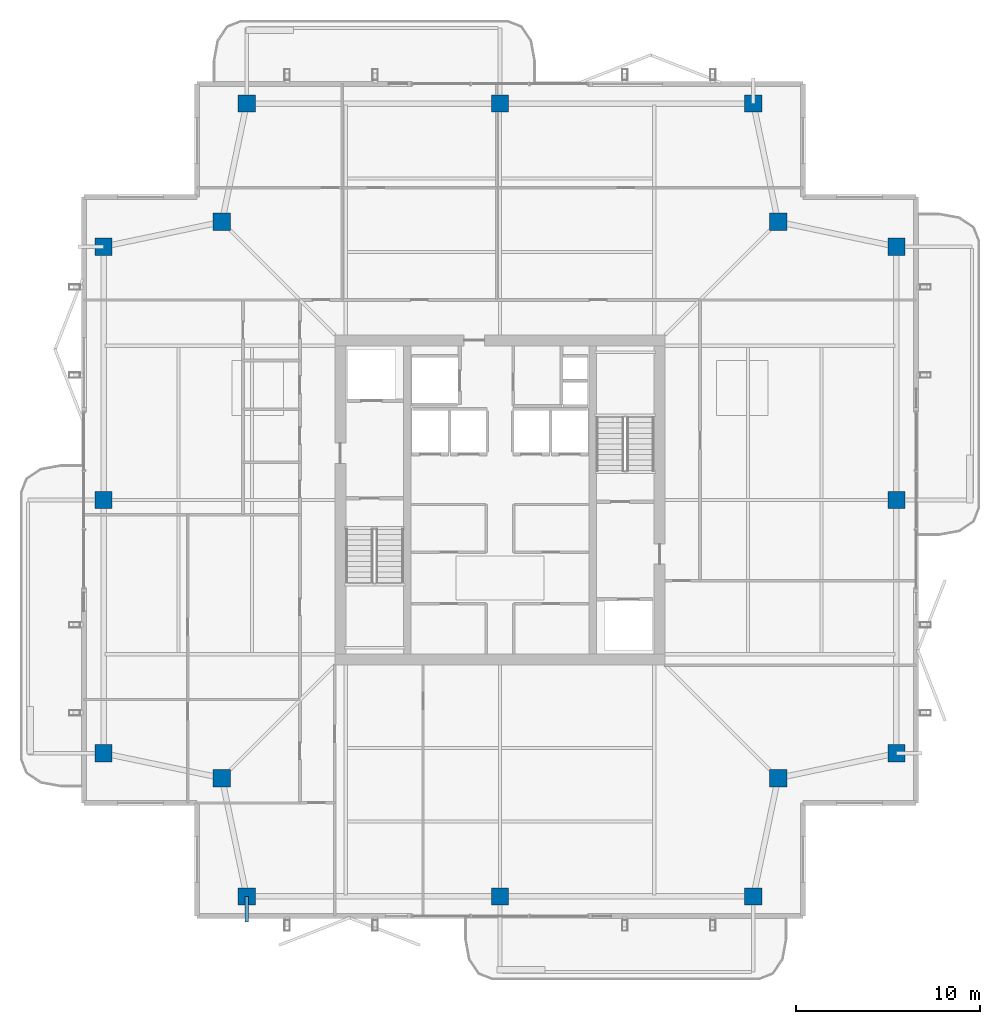
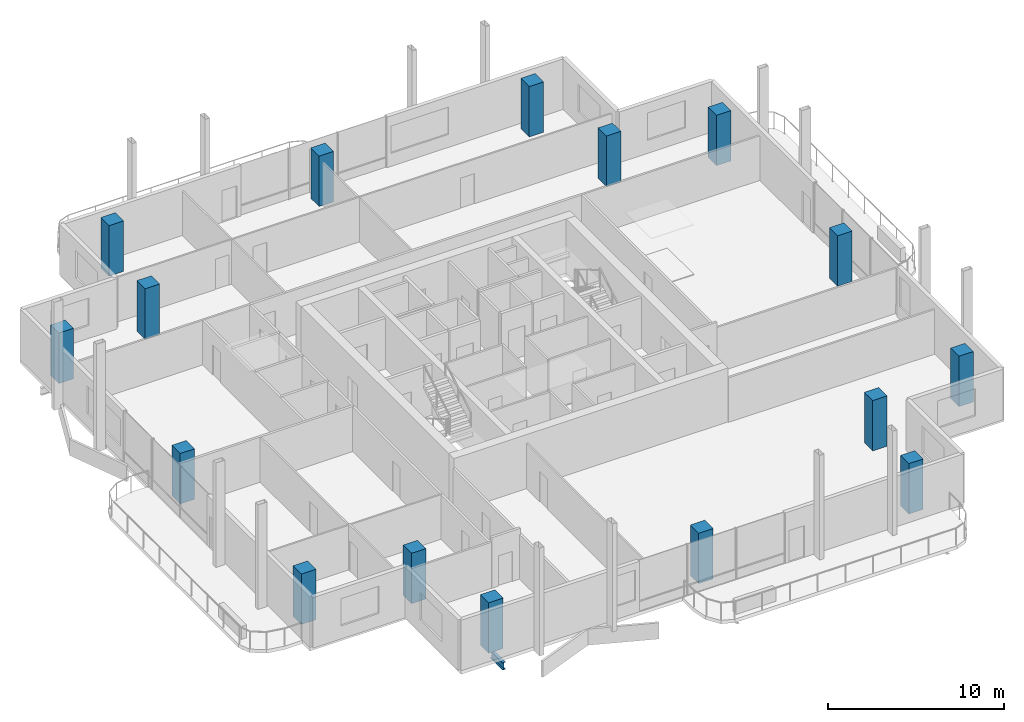
# One storey, part 1 of 20: 16 columns, 1 beam.
"""IFC4 building model written with IfcOpenShell, lengths in metres."""

import ifcopenshell
import ifcopenshell.guid

model = None  # the IFC model being written
_history = None  # IfcOwnerHistory: only IFC2X3 demands one
_inside = {}  # id of a spatial element -> (the spatial element, [elements in it])
_under = {}  # id of a project, library or spatial element -> (it, [spatial elements below it])
_declared = {}  # id of a project -> (the project, [libraries it declares])
_typed = {}  # id of a type object -> (the type object, [elements of that type])
_made_of = {}  # id of a material, layer set ... -> (it, [elements and type objects made of it])


def new_model(schema):
    """Start an empty IFC model of exactly this schema.

    Asked for "IFC4X3", IfcOpenShell would pick the latest addendum, in which some entities
    have other attributes; the version numbers below select the first issue.
    IFC2X3 requires an IfcOwnerHistory on every rooted entity: one is made here for all.
    """
    global model, _history
    if schema == "IFC4X3":
        model = ifcopenshell.file(schema_version=(4, 3, 0, 0))
    else:
        model = ifcopenshell.file(schema=schema)
    _inside.clear()
    _under.clear()
    _declared.clear()
    _typed.clear()
    _made_of.clear()
    _history = None
    if model.schema == "IFC2X3":
        org = make("IfcOrganization", Name="unknown")
        user = make(
            "IfcPersonAndOrganization",
            ThePerson=make("IfcPerson", FamilyName="unknown"),
            TheOrganization=org,
        )
        app = make(
            "IfcApplication",
            ApplicationDeveloper=org,
            Version="unknown",
            ApplicationFullName="unknown",
            ApplicationIdentifier="unknown",
        )
        _history = make(
            "IfcOwnerHistory",
            OwningUser=user,
            OwningApplication=app,
            ChangeAction="ADDED",
            CreationDate=0,
        )
    return model


def make(cls, **values):
    """One entity of the class cls with the attributes given. An attribute that is None is left unset."""
    return model.create_entity(
        cls, **{name: value for name, value in values.items() if value is not None}
    )


def rooted(cls, **values):
    """An entity with a GlobalId (a new one), such as an element, a storey or a relation."""
    return make(cls, GlobalId=ifcopenshell.guid.new(), OwnerHistory=_history, **values)


def si_unit(unit_type, name, prefix=None):
    """IfcSIUnit, for example si_unit("LENGTHUNIT", "METRE", prefix="MILLI")."""
    return make("IfcSIUnit", UnitType=unit_type, Prefix=prefix, Name=name)


def assignment(units):
    """IfcUnitAssignment: the units of a project."""
    return None if units is None else make("IfcUnitAssignment", Units=units)


def point(xyz):
    """IfcCartesianPoint."""
    return None if xyz is None else make("IfcCartesianPoint", Coordinates=xyz)


def direction(xyz):
    """IfcDirection."""
    return None if xyz is None else make("IfcDirection", DirectionRatios=xyz)


def frame(location, z_axis=None, x_axis=None):
    """IfcAxis2Placement3D, a coordinate frame: its origin and axes. An axis left out is left unset."""
    return make(
        "IfcAxis2Placement3D",
        Location=point(location),
        Axis=direction(z_axis),
        RefDirection=direction(x_axis),
    )


def frame_2d(location, x_axis=None):
    """IfcAxis2Placement2D, a coordinate frame in the plane: its origin and x axis."""
    return make(
        "IfcAxis2Placement2D", Location=point(location), RefDirection=direction(x_axis)
    )


def origin():
    """The frame at (0, 0, 0) with its axes left unset."""
    return frame((0.0, 0.0, 0.0))


def origin_2d():
    """The frame at (0, 0) in the plane with its x axis left unset."""
    return frame_2d((0.0, 0.0))


def place(relative_to, where):
    """IfcLocalPlacement: puts the frame where relative to a parent placement (None: the world)."""
    return make(
        "IfcLocalPlacement", PlacementRelTo=relative_to, RelativePlacement=where
    )


def context(
    kind, dimensions, precision=None, world=None, true_north=None, identifier=None
):
    """IfcGeometricRepresentationContext, for example the 3D "Model" context."""
    return make(
        "IfcGeometricRepresentationContext",
        ContextIdentifier=identifier,
        ContextType=kind,
        CoordinateSpaceDimension=dimensions,
        Precision=precision,
        WorldCoordinateSystem=world,
        TrueNorth=true_north,
    )


def subcontext(parent, identifier, kind, view, scale=None):
    """IfcGeometricRepresentationSubContext, for example "Body" below "Model"."""
    return make(
        "IfcGeometricRepresentationSubContext",
        ContextIdentifier=identifier,
        ContextType=kind,
        ParentContext=parent,
        TargetScale=scale,
        TargetView=view,
    )


def project(units=None, contexts=None):
    """IfcProject with its units and contexts."""
    return rooted(
        "IfcProject",
        Name="project",
        RepresentationContexts=contexts,
        UnitsInContext=assignment(units),
    )


def spatial(cls, under=None, at=None, **own):
    """A site, building, storey or space (cls), placed at a placement, below another one or the project."""
    s = rooted(cls, ObjectPlacement=at, **own)
    if under is not None:
        _under.setdefault(under.id(), (under, []))[1].append(s)
    return s


def profile(cls, at=None, kind="AREA", **sizes):
    """A parametric profile (cls). Its sizes go by their IFC names, for example OverallWidth=200.0."""
    return make(cls, ProfileType=kind, Position=at, **sizes)


def rectangle(**sizes):
    """IfcRectangleProfileDef."""
    return profile("IfcRectangleProfileDef", **sizes)


def i_section(**sizes):
    """IfcIShapeProfileDef."""
    return profile("IfcIShapeProfileDef", **sizes)


def extrude(swept, where, along, depth):
    """IfcExtrudedAreaSolid: the profile swept, set in the frame where, extruded along a direction by depth."""
    return make(
        "IfcExtrudedAreaSolid",
        SweptArea=swept,
        Position=where,
        ExtrudedDirection=direction(along),
        Depth=depth,
    )


def shape(context_of_items, identifier, shape_type, items):
    """IfcShapeRepresentation: the items that make up one representation, for example the "Body"."""
    return make(
        "IfcShapeRepresentation",
        ContextOfItems=context_of_items,
        RepresentationIdentifier=identifier,
        RepresentationType=shape_type,
        Items=items,
    )


def material(Name=None, Category=None):
    """IfcMaterial."""
    return make("IfcMaterial", Name=Name, Category=Category)


def material_profile(
    of_material, cross_section, Name=None, Category=None, Priority=None
):
    """IfcMaterialProfile: a cross section and its material."""
    return make(
        "IfcMaterialProfile",
        Name=Name,
        Material=of_material,
        Profile=cross_section,
        Priority=Priority,
        Category=Category,
    )


def profile_set(profiles, Name=None, composite=None):
    """IfcMaterialProfileSet."""
    return make(
        "IfcMaterialProfileSet",
        Name=Name,
        MaterialProfiles=profiles,
        CompositeProfile=composite,
    )


def made_of(thing, what):
    """Note that an element or type object is made of a material, layer set ...; save() writes the relation."""
    if what is not None:
        _made_of.setdefault(what.id(), (what, []))[1].append(thing)
    return thing


def type_object(cls, material=None, **own):
    """A type object (cls), such as IfcWallType, which elements share."""
    return made_of(rooted(cls, **own), material)


def element(
    cls,
    number,
    at=None,
    inside=None,
    cuts=None,
    type_object=None,
    material=None,
    context=None,
    identifier="Body",
    shape_type=None,
    held_by="IfcProductDefinitionShape",
    body=None,
    shapes=None,
    **own,
):
    """One element of the class cls, such as IfcWall. Its Tag is "e" and its number.

    at: its placement. inside: the storey or other place that contains it. cuts: it is an
    opening in that element (IfcRelVoidsElement). A single representation is given by context,
    identifier, shape_type and body (its items); several are given by shapes. held_by: the class
    of the entity that holds the representations. save() writes the other relations.
    """
    e = rooted(cls, Tag="e%d" % number, ObjectPlacement=at, **own)
    if body is not None:
        shapes = [shape(context, identifier, shape_type, body)]
    if shapes is not None:
        e.Representation = make(held_by, Representations=shapes)
    if inside is not None:
        _inside.setdefault(inside.id(), (inside, []))[1].append(e)
    if cuts is not None:
        rooted(
            "IfcRelVoidsElement", RelatingBuildingElement=cuts, RelatedOpeningElement=e
        )
    if type_object is not None:
        _typed.setdefault(type_object.id(), (type_object, []))[1].append(e)
    return made_of(e, material)


def aggregate(whole, parts):
    """IfcRelAggregates: a whole, such as a stair, and the parts it consists of."""
    return rooted("IfcRelAggregates", RelatingObject=whole, RelatedObjects=parts)


def save(model, path):
    """Write the relations noted so far, then the file.

    IfcRelAggregates (storeys below a building ...), IfcRelContainedInSpatialStructure (elements
    in a storey), IfcRelDefinesByType, IfcRelAssociatesMaterial and IfcRelDeclares: one each for
    every whole, place, type object, material and project.
    """
    for whole, parts in _under.values():
        aggregate(whole, parts)
    for where, things in _inside.values():
        rooted(
            "IfcRelContainedInSpatialStructure",
            RelatedElements=things,
            RelatingStructure=where,
        )
    for kind, things in _typed.values():
        rooted("IfcRelDefinesByType", RelatedObjects=things, RelatingType=kind)
    for what, things in _made_of.values():
        rooted("IfcRelAssociatesMaterial", RelatedObjects=things, RelatingMaterial=what)
    for by, libraries in _declared.values():
        rooted("IfcRelDeclares", RelatingContext=by, RelatedDefinitions=libraries)
    model.write(path)


model = new_model("IFC4")

# Units and contexts
model_context = context("Model", 3, precision=1e-05, world=origin(), true_north=direction((0.0, 1.0)))
body_context = subcontext(model_context, "Body", "Model", "MODEL_VIEW")
ifc_project = project(units=[si_unit("LENGTHUNIT", "METRE"), si_unit("AREAUNIT", "SQUARE_METRE"), si_unit("VOLUMEUNIT", "CUBIC_METRE"), si_unit("PLANEANGLEUNIT", "RADIAN"), si_unit("MASSUNIT", "GRAM", prefix="KILO")], contexts=[model_context])

# Site, building, storey
site_placement = place(None, origin())
site = spatial("IfcSite", under=ifc_project, at=site_placement, CompositionType="ELEMENT")
building_placement = place(site_placement, origin())
building = spatial("IfcBuilding", under=site, at=building_placement, Name="Belovzor Exchange Tower", CompositionType="ELEMENT")
storey_placement = place(building_placement, frame((0.0, 0.0, 299.25)))
storey = spatial("IfcBuildingStorey", under=building, at=storey_placement, Name="L74", CompositionType="ELEMENT", Elevation=299.25)

# Columns
ifc_material_1 = material(Name="Concrete C50/60", Category="concrete")
ifc_material_profile_1 = material_profile(ifc_material_1, rectangle(XDim=0.949951171875, YDim=0.949951171875, at=origin_2d()))
ifc_profile_set_1 = profile_set([ifc_material_profile_1], Name="Concrete C50/60")
column_type = type_object("IfcColumnType", Name="Reinforced Concrete Tower Column 950x950", PredefinedType="COLUMN", material=ifc_profile_set_1)
for number, where, z_axis, x_axis, name in (
    (1, (15.0, 7.199951171875, 0.0029296875), (0.0, 0.0, 1.0), (1.0, 0.0, 0.0), "COL-T095 Reinforced Concrete Tower Column 950x950"),
    (2, (28.800048828125, 7.199951171875, 0.0029296875), (0.0, 0.0, 1.0), (1.0, 0.0, 0.0), "COL-T095 Reinforced Concrete Tower Column 950x950"),
    (3, (42.60009765625, 7.199951171875, 0.0029296875), (0.0, 0.0, 1.0), (1.0, 0.0, 0.0), "COL-T095 Reinforced Concrete Tower Column 950x950"),
    (4, (50.39990234375, 15.0, 0.0029296875), (0.0, 0.0, 1.0), (1.0, 0.0, 0.0), "COL-T095 Reinforced Concrete Tower Column 950x950"),
    (5, (50.39990234375, 28.800048828125, 0.0029296875), (0.0, 0.0, 1.0), (1.0, 0.0, 0.0), "COL-T095 Reinforced Concrete Tower Column 950x950"),
    (6, (50.39990234375, 42.60009765625, 0.0029296875), (0.0, 0.0, 1.0), (1.0, 0.0, 0.0), "COL-T095 Reinforced Concrete Tower Column 950x950"),
    (7, (42.60009765625, 50.39990234375, 0.0029296875), (0.0, 0.0, 1.0), (1.0, 0.0, 0.0), "COL-T095 Reinforced Concrete Tower Column 950x950"),
    (8, (28.800048828125, 50.39990234375, 0.0029296875), (0.0, 0.0, 1.0), (1.0, 0.0, 0.0), "COL-T095 Reinforced Concrete Tower Column 950x950"),
    (9, (15.0, 50.39990234375, 0.0029296875), (0.0, 0.0, 1.0), (1.0, 0.0, 0.0), "COL-T095 Reinforced Concrete Tower Column 950x950"),
    (10, (7.199951171875, 42.60009765625, 0.0029296875), (0.0, 0.0, 1.0), (1.0, 0.0, 0.0), "COL-T095 Reinforced Concrete Tower Column 950x950"),
    (11, (7.199951171875, 28.800048828125, 0.0029296875), (0.0, 0.0, 1.0), (1.0, 0.0, 0.0), "COL-T095 Reinforced Concrete Tower Column 950x950"),
    (12, (7.199951171875, 15.0, 0.0029296875), (0.0, 0.0, 1.0), (1.0, 0.0, 0.0), "COL-T095 Reinforced Concrete Tower Column 950x950"),
    (13, (13.64990234375, 13.64990234375, 0.0029296875), (0.0, 0.0, 1.0), (1.0, 0.0, 0.0), "COL-T095 Reinforced Concrete Tower Column 950x950"),
    (14, (43.949951171875, 13.64990234375, 0.0029296875), (0.0, 0.0, 1.0), (1.0, 0.0, 0.0), "COL-T095 Reinforced Concrete Tower Column 950x950"),
    (15, (43.949951171875, 43.949951171875, 0.0029296875), (0.0, 0.0, 1.0), (1.0, 0.0, 0.0), "COL-T095 Reinforced Concrete Tower Column 950x950"),
    (16, (13.64990234375, 43.949951171875, 0.0029296875), (0.0, 0.0, 1.0), (1.0, 0.0, 0.0), "COL-T095 Reinforced Concrete Tower Column 950x950"),
):
    element("IfcColumn", number, at=place(storey_placement, frame(where, z_axis=z_axis, x_axis=x_axis)), inside=storey, type_object=column_type, Name=name, PredefinedType="COLUMN", context=body_context, shape_type="SweptSolid", body=[
        extrude(rectangle(XDim=0.949951171875, YDim=0.949951171875, at=origin_2d()), origin(), (0.0, 0.0, 1.0), 3.504150390625),
    ])

# Beam
ifc_material_2 = material(Name="Steel S355", Category="steel")
ifc_material_profile_2 = material_profile(ifc_material_2, i_section(OverallWidth=0.199951171875, OverallDepth=0.5, WebThickness=0.01025390625, FlangeThickness=0.01611328125, at=origin_2d()))
ifc_profile_set_2 = profile_set([ifc_material_profile_2], Name="Steel S355")
beam_type = type_object("IfcBeamType", Name="Planted Balcony Cantilever Beam IPE 500", PredefinedType="BEAM", material=ifc_profile_set_2)
beam_placement = place(storey_placement, frame((15.0, 7.199951171875, -0.489990234375), z_axis=(0.0, -1.0, 0.0), x_axis=(1.0, 0.0, 0.0)))
element("IfcBeam", 17, at=beam_placement, inside=storey, type_object=beam_type, Name="BC-500 Planted Balcony Cantilever Beam IPE 500", PredefinedType="BEAM", context=body_context, shape_type="SweptSolid", body=[
    extrude(i_section(OverallWidth=0.199951171875, OverallDepth=0.5, WebThickness=0.01025390625, FlangeThickness=0.01611328125, at=origin_2d()), origin(), (0.0, 0.0, 1.0), 1.39990234375),
])

save(model, "model.ifc")
